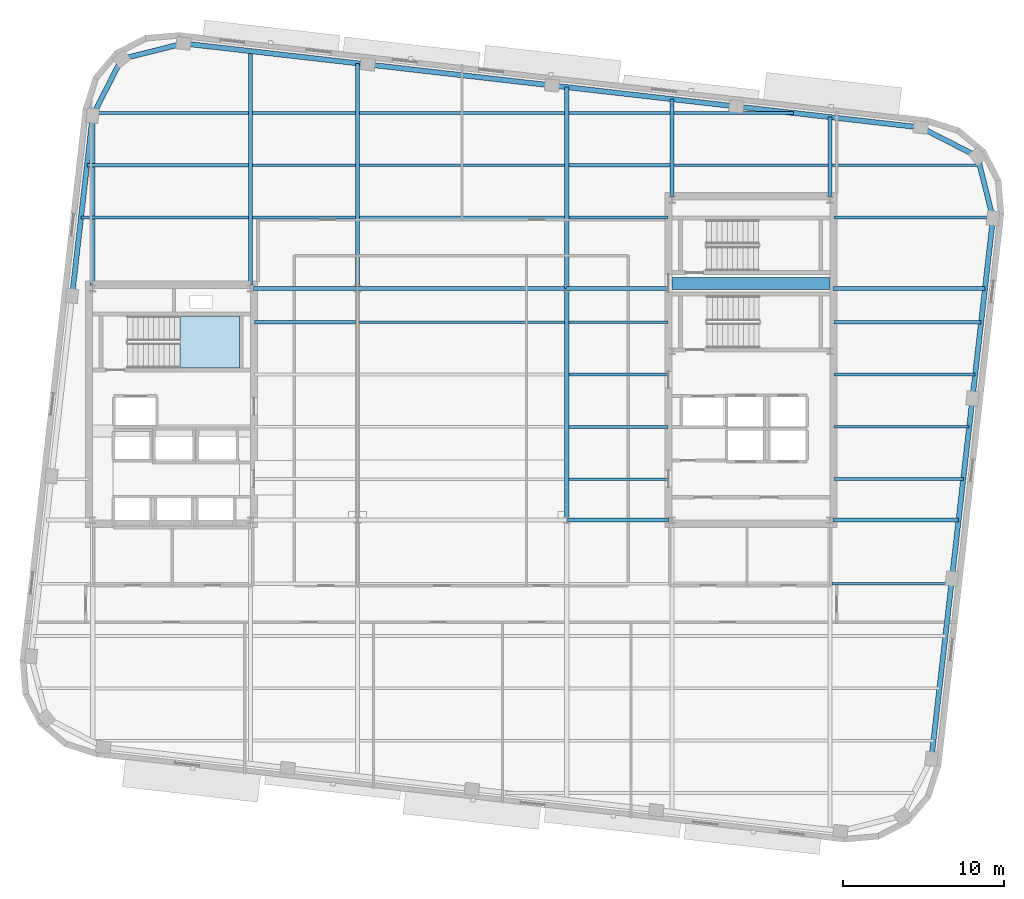
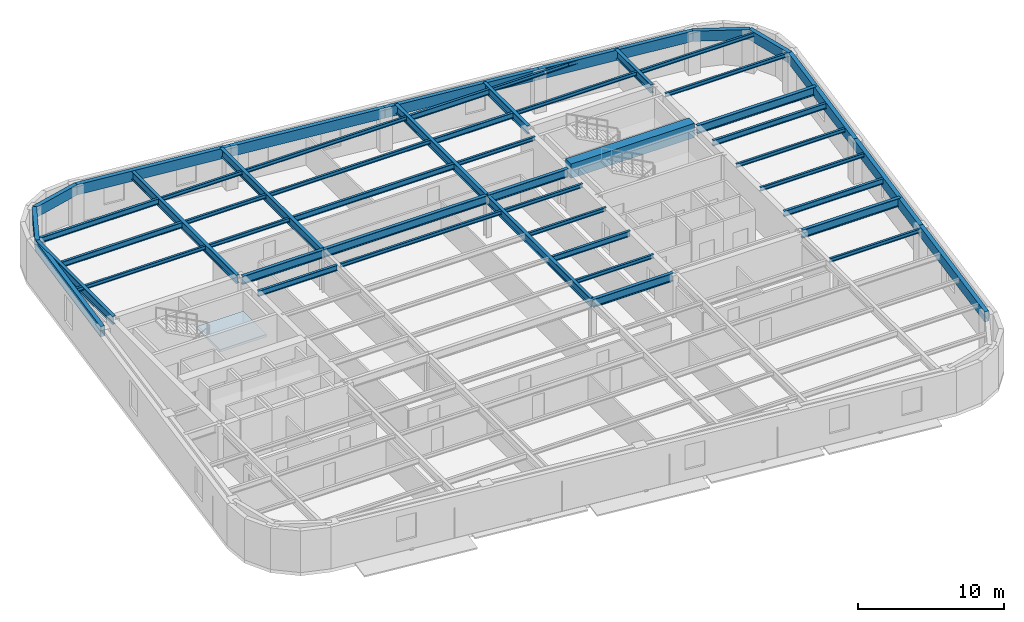
# One storey, part 4 of 12: 53 beams, 1 slab, 1 element without a shape of its own.
"""IFC4 building model written with IfcOpenShell, lengths in metres."""

from ifc_helpers import new_model, si_unit, direction, frame, origin, origin_2d, place, context, subcontext, project, spatial, polyline, rectangle, hollow_rectangle, i_section, outline, extrude, material, layer, layer_set, material_profile, profile_set, type_object, element, aggregate, save


model = new_model("IFC4")

# Units and contexts
model_context = context("Model", 3, precision=1e-05, world=origin(), true_north=direction((0.0, 1.0)))
body_context = subcontext(model_context, "Body", "Model", "MODEL_VIEW")
ifc_project = project(units=[si_unit("LENGTHUNIT", "METRE"), si_unit("AREAUNIT", "SQUARE_METRE"), si_unit("VOLUMEUNIT", "CUBIC_METRE"), si_unit("PLANEANGLEUNIT", "RADIAN"), si_unit("MASSUNIT", "GRAM", prefix="KILO")], contexts=[model_context])

# Site, building, storey
site_placement = place(None, origin())
site = spatial("IfcSite", under=ifc_project, at=site_placement, CompositionType="ELEMENT")
building_placement = place(site_placement, origin())
building = spatial("IfcBuilding", under=site, at=building_placement, Name="Kolvaren Arena Tower", CompositionType="ELEMENT")
storey_placement = place(building_placement, frame((0.0, 0.0, 220.949951171875)))
storey = spatial("IfcBuildingStorey", under=building, at=storey_placement, Name="L53", CompositionType="ELEMENT", Elevation=220.949951171875)

# Beams
ifc_material_1 = material(Name="Steel CSA G40.21 350W", Category="steel")
ifc_material_profile_1 = material_profile(ifc_material_1, i_section(OverallWidth=0.193115234375, OverallDepth=0.462890625, WebThickness=0.0107421875, FlangeThickness=0.0205078125, FilletRadius=0.012939453125, at=origin_2d()), Name="W460x113")
ifc_profile_set_1 = profile_set([ifc_material_profile_1], Name="Steel CSA G40.21 350W")
beam_type_1 = type_object("IfcBeamType", Name="BEAM-F2", PredefinedType="BEAM", material=ifc_profile_set_1)
beam_1_placement = place(storey_placement, frame((60.594970703125, 22.0, 3.24853515625), z_axis=(1.0, 0.0, 0.0), x_axis=(0.0, 1.0, 0.0)))
element("IfcBeam", 1, at=beam_1_placement, inside=storey, type_object=beam_type_1, Name="Composite Floor Beam (L53)", PredefinedType="BEAM", context=body_context, shape_type="SweptSolid", body=[
    extrude(i_section(OverallWidth=0.193115234375, OverallDepth=0.462890625, WebThickness=0.0107421875, FlangeThickness=0.0205078125, FilletRadius=0.012939453125, at=origin_2d()), origin(), (0.0, 0.0, 1.0), 8.041015625),
])
beam_2_placement = place(storey_placement, frame((44.12744140625, 25.25, 3.24853515625), z_axis=(1.0, 0.0, 0.0), x_axis=(0.0, 1.0, 0.0)))
element("IfcBeam", 2, at=beam_2_placement, inside=storey, type_object=beam_type_1, Name="Composite Floor Beam (L53)", PredefinedType="BEAM", context=body_context, shape_type="SweptSolid", body=[
    extrude(i_section(OverallWidth=0.193115234375, OverallDepth=0.462890625, WebThickness=0.0107421875, FlangeThickness=0.0205078125, FilletRadius=0.012939453125, at=origin_2d()), origin(), (0.0, 0.0, 1.0), 6.177490234375),
])
beam_3_placement = place(storey_placement, frame((24.594970703125, 31.75, 3.24853515625), z_axis=(1.0, 0.0, 0.0), x_axis=(0.0, 1.0, 0.0)))
element("IfcBeam", 3, at=beam_3_placement, inside=storey, type_object=beam_type_1, Name="Composite Floor Beam (L53)", PredefinedType="BEAM", context=body_context, shape_type="SweptSolid", body=[
    extrude(i_section(OverallWidth=0.193115234375, OverallDepth=0.462890625, WebThickness=0.0107421875, FlangeThickness=0.0205078125, FilletRadius=0.012939453125, at=origin_2d()), origin(), (0.0, 0.0, 1.0), 6.277587890625),
])
beam_4_placement = place(storey_placement, frame((60.594970703125, 31.75, 3.24853515625), z_axis=(1.0, 0.0, 0.0), x_axis=(0.0, 1.0, 0.0)))
element("IfcBeam", 4, at=beam_4_placement, inside=storey, type_object=beam_type_1, Name="Composite Floor Beam (L53)", PredefinedType="BEAM", context=body_context, shape_type="SweptSolid", body=[
    extrude(i_section(OverallWidth=0.193115234375, OverallDepth=0.462890625, WebThickness=0.0107421875, FlangeThickness=0.0205078125, FilletRadius=0.012939453125, at=origin_2d()), origin(), (0.0, 0.0, 1.0), 9.15185546875),
])
beam_5_placement = place(storey_placement, frame((31.12744140625, 38.25, 3.24853515625), z_axis=(1.0, 0.0, 0.0), x_axis=(0.0, 1.0, 0.0)))
element("IfcBeam", 5, at=beam_5_placement, inside=storey, type_object=beam_type_1, Name="Composite Floor Beam (L53)", PredefinedType="BEAM", context=body_context, shape_type="SweptSolid", body=[
    extrude(i_section(OverallWidth=0.193115234375, OverallDepth=0.462890625, WebThickness=0.0107421875, FlangeThickness=0.0205078125, FilletRadius=0.012939453125, at=origin_2d()), origin(), (0.0, 0.0, 1.0), 12.7451171875),
])
beam_6_placement = place(storey_placement, frame((14.193359375, 41.5, 3.24853515625), z_axis=(1.0, 0.0, 0.0), x_axis=(0.0, 1.0, 0.0)))
element("IfcBeam", 6, at=beam_6_placement, inside=storey, type_object=beam_type_1, Name="Composite Floor Beam (L53)", PredefinedType="BEAM", context=body_context, shape_type="SweptSolid", body=[
    extrude(i_section(OverallWidth=0.193115234375, OverallDepth=0.462890625, WebThickness=0.0107421875, FlangeThickness=0.0205078125, FilletRadius=0.012939453125, at=origin_2d()), origin(), (0.0, 0.0, 1.0), 10.029052734375),
])
beam_7_placement = place(storey_placement, frame((44.12744140625, 41.5, 3.24853515625), z_axis=(1.0, 0.0, 0.0), x_axis=(0.0, 1.0, 0.0)))
element("IfcBeam", 7, at=beam_7_placement, inside=storey, type_object=beam_type_1, Name="Composite Floor Beam (L53)", PredefinedType="BEAM", context=body_context, shape_type="SweptSolid", body=[
    extrude(i_section(OverallWidth=0.193115234375, OverallDepth=0.462890625, WebThickness=0.0107421875, FlangeThickness=0.0205078125, FilletRadius=0.012939453125, at=origin_2d()), origin(), (0.0, 0.0, 1.0), 6.295166015625),
])
beam_8_placement = place(storey_placement, frame((14.632080078125, 44.75, 3.24853515625), z_axis=(1.0, 0.0, 0.0), x_axis=(0.0, 1.0, 0.0)))
element("IfcBeam", 8, at=beam_8_placement, inside=storey, type_object=beam_type_1, Name="Composite Floor Beam (L53)", PredefinedType="BEAM", context=body_context, shape_type="SweptSolid", body=[
    extrude(i_section(OverallWidth=0.193115234375, OverallDepth=0.462890625, WebThickness=0.0107421875, FlangeThickness=0.0205078125, FilletRadius=0.012939453125, at=origin_2d()), origin(), (0.0, 0.0, 1.0), 9.59033203125),
])
beam_9_placement = place(storey_placement, frame((44.12744140625, 44.75, 3.24853515625), z_axis=(1.0, 0.0, 0.0), x_axis=(0.0, 1.0, 0.0)))
element("IfcBeam", 9, at=beam_9_placement, inside=storey, type_object=beam_type_1, Name="Composite Floor Beam (L53)", PredefinedType="BEAM", context=body_context, shape_type="SweptSolid", body=[
    extrude(i_section(OverallWidth=0.193115234375, OverallDepth=0.462890625, WebThickness=0.0107421875, FlangeThickness=0.0205078125, FilletRadius=0.012939453125, at=origin_2d()), origin(), (0.0, 0.0, 1.0), 6.295166015625),
])
ifc_material_2 = material(Name="Concrete 60 MPa", Category="concrete")
ifc_material_profile_2 = material_profile(ifc_material_2, rectangle(XDim=0.75, YDim=1.199951171875, at=origin_2d()), Name="RC-750x1200")
ifc_profile_set_2 = profile_set([ifc_material_profile_2], Name="Concrete 60 MPa")
beam_type_2 = type_object("IfcBeamType", Name="CB-CORE-2", PredefinedType="BEAM", material=ifc_profile_set_2)
beam_10_placement = place(storey_placement, frame((50.550048828125, 34.14990234375, 3.150146484375), z_axis=(1.0, 0.0, 0.0), x_axis=(0.0, 1.0, 0.0)))
element("IfcBeam", 10, at=beam_10_placement, inside=storey, type_object=beam_type_2, Name="East Core Coupling Beam (L53)", PredefinedType="BEAM", context=body_context, shape_type="SweptSolid", body=[
    extrude(rectangle(XDim=0.75, YDim=1.199951171875, at=origin_2d()), origin(), (0.0, 0.0, 1.0), 9.800048828125),
])
ifc_material_profile_3 = material_profile(ifc_material_1, i_section(OverallWidth=0.2548828125, OverallDepth=0.695068359375, WebThickness=0.01708984375, FlangeThickness=0.02978515625, FilletRadius=0.01611328125, at=origin_2d()), Name="W690x217")
ifc_profile_set_3 = profile_set([ifc_material_profile_3], Name="Steel CSA G40.21 350W")
beam_type_3 = type_object("IfcBeamType", Name="GIRD-T2", PredefinedType="BEAM", material=ifc_profile_set_3)
beam_11_placement = place(storey_placement, frame((44.0, 19.449951171875, 3.132568359375), z_axis=(1.0, 0.0, 0.0), x_axis=(0.0, 1.0, 0.0)))
element("IfcBeam", 11, at=beam_11_placement, inside=storey, type_object=beam_type_3, Name="Primary Floor Girder (L53)", PredefinedType="BEAM", context=body_context, shape_type="SweptSolid", body=[
    extrude(i_section(OverallWidth=0.2548828125, OverallDepth=0.695068359375, WebThickness=0.01708984375, FlangeThickness=0.02978515625, FilletRadius=0.01611328125, at=origin_2d()), origin(), (0.0, 0.0, 1.0), 6.344970703125),
])
beam_12_placement = place(storey_placement, frame((60.554931640625, 19.449951171875, 3.132568359375), z_axis=(1.0, 0.0, 0.0), x_axis=(0.0, 1.0, 0.0)))
element("IfcBeam", 12, at=beam_12_placement, inside=storey, type_object=beam_type_3, Name="Primary Floor Girder (L53)", PredefinedType="BEAM", context=body_context, shape_type="SweptSolid", body=[
    extrude(i_section(OverallWidth=0.2548828125, OverallDepth=0.695068359375, WebThickness=0.01708984375, FlangeThickness=0.02978515625, FilletRadius=0.01611328125, at=origin_2d()), origin(), (0.0, 0.0, 1.0), 7.790283203125),
])
beam_13_placement = place(storey_placement, frame((24.554931640625, 33.85009765625, 3.132568359375), z_axis=(1.0, 0.0, 0.0), x_axis=(0.0, 1.0, 0.0)))
element("IfcBeam", 13, at=beam_13_placement, inside=storey, type_object=beam_type_3, Name="Primary Floor Girder (L53)", PredefinedType="BEAM", context=body_context, shape_type="SweptSolid", body=[
    extrude(i_section(OverallWidth=0.2548828125, OverallDepth=0.695068359375, WebThickness=0.01708984375, FlangeThickness=0.02978515625, FilletRadius=0.01611328125, at=origin_2d()), origin(), (0.0, 0.0, 1.0), 6.445068359375),
])
beam_14_placement = place(storey_placement, frame((31.0, 33.85009765625, 3.132568359375), z_axis=(1.0, 0.0, 0.0), x_axis=(0.0, 1.0, 0.0)))
element("IfcBeam", 14, at=beam_14_placement, inside=storey, type_object=beam_type_3, Name="Primary Floor Girder (L53)", PredefinedType="BEAM", context=body_context, shape_type="SweptSolid", body=[
    extrude(i_section(OverallWidth=0.2548828125, OverallDepth=0.695068359375, WebThickness=0.01708984375, FlangeThickness=0.02978515625, FilletRadius=0.01611328125, at=origin_2d()), origin(), (0.0, 0.0, 1.0), 13.0),
])
beam_15_placement = place(storey_placement, frame((44.0, 33.85009765625, 3.132568359375), z_axis=(1.0, 0.0, 0.0), x_axis=(0.0, 1.0, 0.0)))
element("IfcBeam", 15, at=beam_15_placement, inside=storey, type_object=beam_type_3, Name="Primary Floor Girder (L53)", PredefinedType="BEAM", context=body_context, shape_type="SweptSolid", body=[
    extrude(i_section(OverallWidth=0.2548828125, OverallDepth=0.695068359375, WebThickness=0.01708984375, FlangeThickness=0.02978515625, FilletRadius=0.01611328125, at=origin_2d()), origin(), (0.0, 0.0, 1.0), 6.344970703125),
])
beam_16_placement = place(storey_placement, frame((60.554931640625, 33.85009765625, 3.132568359375), z_axis=(1.0, 0.0, 0.0), x_axis=(0.0, 1.0, 0.0)))
element("IfcBeam", 16, at=beam_16_placement, inside=storey, type_object=beam_type_3, Name="Primary Floor Girder (L53)", PredefinedType="BEAM", context=body_context, shape_type="SweptSolid", body=[
    extrude(i_section(OverallWidth=0.2548828125, OverallDepth=0.695068359375, WebThickness=0.01708984375, FlangeThickness=0.02978515625, FilletRadius=0.01611328125, at=origin_2d()), origin(), (0.0, 0.0, 1.0), 9.43115234375),
])
beam_17_placement = place(storey_placement, frame((14.550048828125, 34.054931640625, 3.132568359375), z_axis=(0.0, 1.0, 0.0), x_axis=(-1.0, 0.0, 0.0)))
element("IfcBeam", 17, at=beam_17_placement, inside=storey, type_object=beam_type_3, Name="Primary Floor Girder (L53)", PredefinedType="BEAM", context=body_context, shape_type="SweptSolid", body=[
    extrude(i_section(OverallWidth=0.2548828125, OverallDepth=0.695068359375, WebThickness=0.01708984375, FlangeThickness=0.02978515625, FilletRadius=0.01611328125, at=origin_2d()), origin(), (0.0, 0.0, 1.0), 10.53466796875),
])
beam_18_placement = place(storey_placement, frame((24.35009765625, 34.054931640625, 3.132568359375), z_axis=(0.0, 1.0, 0.0), x_axis=(-1.0, 0.0, 0.0)))
element("IfcBeam", 18, at=beam_18_placement, inside=storey, type_object=beam_type_3, Name="Primary Floor Girder (L53)", PredefinedType="BEAM", context=body_context, shape_type="SweptSolid", body=[
    extrude(i_section(OverallWidth=0.2548828125, OverallDepth=0.695068359375, WebThickness=0.01708984375, FlangeThickness=0.02978515625, FilletRadius=0.01611328125, at=origin_2d()), origin(), (0.0, 0.0, 1.0), 14.538818359375),
])
beam_19_placement = place(storey_placement, frame((31.0, 33.85009765625, 3.132568359375), z_axis=(0.0, 1.0, 0.0), x_axis=(-1.0, 0.0, 0.0)))
element("IfcBeam", 19, at=beam_19_placement, inside=storey, type_object=beam_type_3, Name="Primary Floor Girder (L53)", PredefinedType="BEAM", context=body_context, shape_type="SweptSolid", body=[
    extrude(i_section(OverallWidth=0.2548828125, OverallDepth=0.695068359375, WebThickness=0.01708984375, FlangeThickness=0.02978515625, FilletRadius=0.01611328125, at=origin_2d()), origin(), (0.0, 0.0, 1.0), 13.986083984375),
])
beam_20_placement = place(storey_placement, frame((44.0, 19.449951171875, 3.132568359375), z_axis=(0.0, 1.0, 0.0), x_axis=(-1.0, 0.0, 0.0)))
element("IfcBeam", 20, at=beam_20_placement, inside=storey, type_object=beam_type_3, Name="Primary Floor Girder (L53)", PredefinedType="BEAM", context=body_context, shape_type="SweptSolid", body=[
    extrude(i_section(OverallWidth=0.2548828125, OverallDepth=0.695068359375, WebThickness=0.01708984375, FlangeThickness=0.02978515625, FilletRadius=0.01611328125, at=origin_2d()), origin(), (0.0, 0.0, 1.0), 14.400146484375),
])
beam_21_placement = place(storey_placement, frame((44.0, 33.85009765625, 3.132568359375), z_axis=(0.0, 1.0, 0.0), x_axis=(-1.0, 0.0, 0.0)))
element("IfcBeam", 21, at=beam_21_placement, inside=storey, type_object=beam_type_3, Name="Primary Floor Girder (L53)", PredefinedType="BEAM", context=body_context, shape_type="SweptSolid", body=[
    extrude(i_section(OverallWidth=0.2548828125, OverallDepth=0.695068359375, WebThickness=0.01708984375, FlangeThickness=0.02978515625, FilletRadius=0.01611328125, at=origin_2d()), origin(), (0.0, 0.0, 1.0), 12.5048828125),
])
beam_22_placement = place(storey_placement, frame((50.550048828125, 39.554931640625, 3.132568359375), z_axis=(0.0, 1.0, 0.0), x_axis=(-1.0, 0.0, 0.0)))
element("IfcBeam", 22, at=beam_22_placement, inside=storey, type_object=beam_type_3, Name="Primary Floor Girder (L53)", PredefinedType="BEAM", context=body_context, shape_type="SweptSolid", body=[
    extrude(i_section(OverallWidth=0.2548828125, OverallDepth=0.695068359375, WebThickness=0.01708984375, FlangeThickness=0.02978515625, FilletRadius=0.01611328125, at=origin_2d()), origin(), (0.0, 0.0, 1.0), 6.0537109375),
])
beam_23_placement = place(storey_placement, frame((60.35009765625, 39.554931640625, 3.132568359375), z_axis=(0.0, 1.0, 0.0), x_axis=(-1.0, 0.0, 0.0)))
element("IfcBeam", 23, at=beam_23_placement, inside=storey, type_object=beam_type_3, Name="Primary Floor Girder (L53)", PredefinedType="BEAM", context=body_context, shape_type="SweptSolid", body=[
    extrude(i_section(OverallWidth=0.2548828125, OverallDepth=0.695068359375, WebThickness=0.01708984375, FlangeThickness=0.02978515625, FilletRadius=0.01611328125, at=origin_2d()), origin(), (0.0, 0.0, 1.0), 4.937255859375),
])
ifc_material_profile_4 = material_profile(ifc_material_1, i_section(OverallWidth=0.1669921875, OverallDepth=0.31689453125, WebThickness=0.007568359375, FlangeThickness=0.01318359375, FilletRadius=0.010009765625, at=origin_2d()), Name="W310x52")
ifc_profile_set_4 = profile_set([ifc_material_profile_4], Name="Steel CSA G40.21 350W")
beam_type_4 = type_object("IfcBeamType", Name="JOIST-02", PredefinedType="JOIST", material=ifc_profile_set_4)
beam_24_placement = place(storey_placement, frame((60.4775390625, 15.5, 3.321533203125), z_axis=(1.0, 0.0, 0.0), x_axis=(0.0, 1.0, 0.0)))
element("IfcBeam", 24, at=beam_24_placement, inside=storey, type_object=beam_type_4, Name="Composite Floor Joist (L53)", PredefinedType="JOIST", context=body_context, shape_type="SweptSolid", body=[
    extrude(i_section(OverallWidth=0.1669921875, OverallDepth=0.31689453125, WebThickness=0.007568359375, FlangeThickness=0.01318359375, FilletRadius=0.010009765625, at=origin_2d()), origin(), (0.0, 0.0, 1.0), 7.417724609375),
])
beam_25_placement = place(storey_placement, frame((44.12744140625, 22.0, 3.321533203125), z_axis=(1.0, 0.0, 0.0), x_axis=(0.0, 1.0, 0.0)))
element("IfcBeam", 25, at=beam_25_placement, inside=storey, type_object=beam_type_4, Name="Composite Floor Joist (L53)", PredefinedType="JOIST", context=body_context, shape_type="SweptSolid", body=[
    extrude(i_section(OverallWidth=0.1669921875, OverallDepth=0.31689453125, WebThickness=0.007568359375, FlangeThickness=0.01318359375, FilletRadius=0.010009765625, at=origin_2d()), origin(), (0.0, 0.0, 1.0), 6.177490234375),
])
beam_26_placement = place(storey_placement, frame((60.594970703125, 25.25, 3.321533203125), z_axis=(1.0, 0.0, 0.0), x_axis=(0.0, 1.0, 0.0)))
element("IfcBeam", 26, at=beam_26_placement, inside=storey, type_object=beam_type_4, Name="Composite Floor Joist (L53)", PredefinedType="JOIST", context=body_context, shape_type="SweptSolid", body=[
    extrude(i_section(OverallWidth=0.1669921875, OverallDepth=0.31689453125, WebThickness=0.007568359375, FlangeThickness=0.01318359375, FilletRadius=0.010009765625, at=origin_2d()), origin(), (0.0, 0.0, 1.0), 8.4111328125),
])
beam_27_placement = place(storey_placement, frame((44.12744140625, 28.5, 3.321533203125), z_axis=(1.0, 0.0, 0.0), x_axis=(0.0, 1.0, 0.0)))
element("IfcBeam", 27, at=beam_27_placement, inside=storey, type_object=beam_type_4, Name="Composite Floor Joist (L53)", PredefinedType="JOIST", context=body_context, shape_type="SweptSolid", body=[
    extrude(i_section(OverallWidth=0.1669921875, OverallDepth=0.31689453125, WebThickness=0.007568359375, FlangeThickness=0.01318359375, FilletRadius=0.010009765625, at=origin_2d()), origin(), (0.0, 0.0, 1.0), 6.177490234375),
])
beam_28_placement = place(storey_placement, frame((60.594970703125, 28.5, 3.321533203125), z_axis=(1.0, 0.0, 0.0), x_axis=(0.0, 1.0, 0.0)))
element("IfcBeam", 28, at=beam_28_placement, inside=storey, type_object=beam_type_4, Name="Composite Floor Joist (L53)", PredefinedType="JOIST", context=body_context, shape_type="SweptSolid", body=[
    extrude(i_section(OverallWidth=0.1669921875, OverallDepth=0.31689453125, WebThickness=0.007568359375, FlangeThickness=0.01318359375, FilletRadius=0.010009765625, at=origin_2d()), origin(), (0.0, 0.0, 1.0), 8.781494140625),
])
beam_29_placement = place(storey_placement, frame((31.12744140625, 31.75, 3.321533203125), z_axis=(1.0, 0.0, 0.0), x_axis=(0.0, 1.0, 0.0)))
element("IfcBeam", 29, at=beam_29_placement, inside=storey, type_object=beam_type_4, Name="Composite Floor Joist (L53)", PredefinedType="JOIST", context=body_context, shape_type="SweptSolid", body=[
    extrude(i_section(OverallWidth=0.1669921875, OverallDepth=0.31689453125, WebThickness=0.007568359375, FlangeThickness=0.01318359375, FilletRadius=0.010009765625, at=origin_2d()), origin(), (0.0, 0.0, 1.0), 12.7451171875),
])
beam_30_placement = place(storey_placement, frame((44.12744140625, 31.75, 3.321533203125), z_axis=(1.0, 0.0, 0.0), x_axis=(0.0, 1.0, 0.0)))
element("IfcBeam", 30, at=beam_30_placement, inside=storey, type_object=beam_type_4, Name="Composite Floor Joist (L53)", PredefinedType="JOIST", context=body_context, shape_type="SweptSolid", body=[
    extrude(i_section(OverallWidth=0.1669921875, OverallDepth=0.31689453125, WebThickness=0.007568359375, FlangeThickness=0.01318359375, FilletRadius=0.010009765625, at=origin_2d()), origin(), (0.0, 0.0, 1.0), 6.177490234375),
])
beam_31_placement = place(storey_placement, frame((13.822998046875, 38.25, 3.321533203125), z_axis=(1.0, 0.0, 0.0), x_axis=(0.0, 1.0, 0.0)))
element("IfcBeam", 31, at=beam_31_placement, inside=storey, type_object=beam_type_4, Name="Composite Floor Joist (L53)", PredefinedType="JOIST", context=body_context, shape_type="SweptSolid", body=[
    extrude(i_section(OverallWidth=0.1669921875, OverallDepth=0.31689453125, WebThickness=0.007568359375, FlangeThickness=0.01318359375, FilletRadius=0.010009765625, at=origin_2d()), origin(), (0.0, 0.0, 1.0), 10.3994140625),
])
beam_32_placement = place(storey_placement, frame((24.4775390625, 38.25, 3.321533203125), z_axis=(1.0, 0.0, 0.0), x_axis=(0.0, 1.0, 0.0)))
element("IfcBeam", 32, at=beam_32_placement, inside=storey, type_object=beam_type_4, Name="Composite Floor Joist (L53)", PredefinedType="JOIST", context=body_context, shape_type="SweptSolid", body=[
    extrude(i_section(OverallWidth=0.1669921875, OverallDepth=0.31689453125, WebThickness=0.007568359375, FlangeThickness=0.01318359375, FilletRadius=0.010009765625, at=origin_2d()), origin(), (0.0, 0.0, 1.0), 6.39501953125),
])
beam_33_placement = place(storey_placement, frame((44.12744140625, 38.25, 3.321533203125), z_axis=(1.0, 0.0, 0.0), x_axis=(0.0, 1.0, 0.0)))
element("IfcBeam", 33, at=beam_33_placement, inside=storey, type_object=beam_type_4, Name="Composite Floor Joist (L53)", PredefinedType="JOIST", context=body_context, shape_type="SweptSolid", body=[
    extrude(i_section(OverallWidth=0.1669921875, OverallDepth=0.31689453125, WebThickness=0.007568359375, FlangeThickness=0.01318359375, FilletRadius=0.010009765625, at=origin_2d()), origin(), (0.0, 0.0, 1.0), 6.177490234375),
])
beam_34_placement = place(storey_placement, frame((60.594970703125, 38.25, 3.321533203125), z_axis=(1.0, 0.0, 0.0), x_axis=(0.0, 1.0, 0.0)))
element("IfcBeam", 34, at=beam_34_placement, inside=storey, type_object=beam_type_4, Name="Composite Floor Joist (L53)", PredefinedType="JOIST", context=body_context, shape_type="SweptSolid", body=[
    extrude(i_section(OverallWidth=0.1669921875, OverallDepth=0.31689453125, WebThickness=0.007568359375, FlangeThickness=0.01318359375, FilletRadius=0.010009765625, at=origin_2d()), origin(), (0.0, 0.0, 1.0), 9.8759765625),
])
beam_35_placement = place(storey_placement, frame((24.4775390625, 41.5, 3.321533203125), z_axis=(1.0, 0.0, 0.0), x_axis=(0.0, 1.0, 0.0)))
element("IfcBeam", 35, at=beam_35_placement, inside=storey, type_object=beam_type_4, Name="Composite Floor Joist (L53)", PredefinedType="JOIST", context=body_context, shape_type="SweptSolid", body=[
    extrude(i_section(OverallWidth=0.1669921875, OverallDepth=0.31689453125, WebThickness=0.007568359375, FlangeThickness=0.01318359375, FilletRadius=0.010009765625, at=origin_2d()), origin(), (0.0, 0.0, 1.0), 6.39501953125),
])
beam_36_placement = place(storey_placement, frame((31.12744140625, 41.5, 3.321533203125), z_axis=(1.0, 0.0, 0.0), x_axis=(0.0, 1.0, 0.0)))
element("IfcBeam", 36, at=beam_36_placement, inside=storey, type_object=beam_type_4, Name="Composite Floor Joist (L53)", PredefinedType="JOIST", context=body_context, shape_type="SweptSolid", body=[
    extrude(i_section(OverallWidth=0.1669921875, OverallDepth=0.31689453125, WebThickness=0.007568359375, FlangeThickness=0.01318359375, FilletRadius=0.010009765625, at=origin_2d()), origin(), (0.0, 0.0, 1.0), 12.7451171875),
])
beam_37_placement = place(storey_placement, frame((50.677490234375, 41.5, 3.321533203125), z_axis=(1.0, 0.0, 0.0), x_axis=(0.0, 1.0, 0.0)))
element("IfcBeam", 37, at=beam_37_placement, inside=storey, type_object=beam_type_4, Name="Composite Floor Joist (L53)", PredefinedType="JOIST", context=body_context, shape_type="SweptSolid", body=[
    extrude(i_section(OverallWidth=0.1669921875, OverallDepth=0.31689453125, WebThickness=0.007568359375, FlangeThickness=0.01318359375, FilletRadius=0.010009765625, at=origin_2d()), origin(), (0.0, 0.0, 1.0), 9.544921875),
])
beam_38_placement = place(storey_placement, frame((60.4775390625, 41.5, 3.321533203125), z_axis=(1.0, 0.0, 0.0), x_axis=(0.0, 1.0, 0.0)))
element("IfcBeam", 38, at=beam_38_placement, inside=storey, type_object=beam_type_4, Name="Composite Floor Joist (L53)", PredefinedType="JOIST", context=body_context, shape_type="SweptSolid", body=[
    extrude(i_section(OverallWidth=0.1669921875, OverallDepth=0.31689453125, WebThickness=0.007568359375, FlangeThickness=0.01318359375, FilletRadius=0.010009765625, at=origin_2d()), origin(), (0.0, 0.0, 1.0), 9.17919921875),
])
beam_39_placement = place(storey_placement, frame((24.4775390625, 44.75, 3.321533203125), z_axis=(1.0, 0.0, 0.0), x_axis=(0.0, 1.0, 0.0)))
element("IfcBeam", 39, at=beam_39_placement, inside=storey, type_object=beam_type_4, Name="Composite Floor Joist (L53)", PredefinedType="JOIST", context=body_context, shape_type="SweptSolid", body=[
    extrude(i_section(OverallWidth=0.1669921875, OverallDepth=0.31689453125, WebThickness=0.007568359375, FlangeThickness=0.01318359375, FilletRadius=0.010009765625, at=origin_2d()), origin(), (0.0, 0.0, 1.0), 6.39501953125),
])
beam_40_placement = place(storey_placement, frame((31.12744140625, 44.75, 3.321533203125), z_axis=(1.0, 0.0, 0.0), x_axis=(0.0, 1.0, 0.0)))
element("IfcBeam", 40, at=beam_40_placement, inside=storey, type_object=beam_type_4, Name="Composite Floor Joist (L53)", PredefinedType="JOIST", context=body_context, shape_type="SweptSolid", body=[
    extrude(i_section(OverallWidth=0.1669921875, OverallDepth=0.31689453125, WebThickness=0.007568359375, FlangeThickness=0.01318359375, FilletRadius=0.010009765625, at=origin_2d()), origin(), (0.0, 0.0, 1.0), 12.7451171875),
])
beam_41_placement = place(storey_placement, frame((50.677490234375, 44.75, 3.321533203125), z_axis=(1.0, 0.0, 0.0), x_axis=(0.0, 1.0, 0.0)))
element("IfcBeam", 41, at=beam_41_placement, inside=storey, type_object=beam_type_4, Name="Composite Floor Joist (L53)", PredefinedType="JOIST", context=body_context, shape_type="SweptSolid", body=[
    extrude(i_section(OverallWidth=0.1669921875, OverallDepth=0.31689453125, WebThickness=0.007568359375, FlangeThickness=0.01318359375, FilletRadius=0.010009765625, at=origin_2d()), origin(), (0.0, 0.0, 1.0), 7.40869140625),
])
ifc_material_3 = material(Name="Steel CSA G40.21 350WT", Category="steel")
ifc_material_profile_5 = material_profile(ifc_material_3, hollow_rectangle(XDim=0.320068359375, YDim=0.860107421875, WallThickness=0.01806640625, at=origin_2d()), Name="HSS 860x320x18")
ifc_profile_set_5 = profile_set([ifc_material_profile_5], Name="Steel CSA G40.21 350WT")
beam_type_5 = type_object("IfcBeamType", Name="SPAND-02", PredefinedType="SPANDREL", material=ifc_profile_set_5)
beam_42_placement = place(storey_placement, frame((66.656005859375, 4.6220703125, 3.050048828125), z_axis=(0.113201896536, 0.993572005755, 0.0), x_axis=(-0.993572005755, 0.113201896536, 0.0)))
element("IfcBeam", 42, at=beam_42_placement, inside=storey, type_object=beam_type_5, Name="Perimeter Spandrel Beam (L53)", PredefinedType="SPANDREL", context=body_context, shape_type="SweptSolid", body=[
    extrude(hollow_rectangle(XDim=0.320068359375, YDim=0.860107421875, WallThickness=0.01806640625, at=origin_2d()), origin(), (0.0, 0.0, 1.0), 11.2666015625),
])
beam_43_placement = place(storey_placement, frame((67.931396484375, 15.816162109375, 3.050048828125), z_axis=(0.113199459318, 0.993572283435, 0.0), x_axis=(-0.993572283435, 0.113199459318, 0.0)))
element("IfcBeam", 43, at=beam_43_placement, inside=storey, type_object=beam_type_5, Name="Perimeter Spandrel Beam (L53)", PredefinedType="SPANDREL", context=body_context, shape_type="SweptSolid", body=[
    extrude(hollow_rectangle(XDim=0.320068359375, YDim=0.860107421875, WallThickness=0.01806640625, at=origin_2d()), origin(), (0.0, 0.0, 1.0), 11.266845703125),
])
beam_44_placement = place(storey_placement, frame((69.206787109375, 27.010498046875, 3.050048828125), z_axis=(0.113201896536, 0.993572005755, 0.0), x_axis=(-0.993572005755, 0.113201896536, 0.0)))
element("IfcBeam", 44, at=beam_44_placement, inside=storey, type_object=beam_type_5, Name="Perimeter Spandrel Beam (L53)", PredefinedType="SPANDREL", context=body_context, shape_type="SweptSolid", body=[
    extrude(hollow_rectangle(XDim=0.320068359375, YDim=0.860107421875, WallThickness=0.01806640625, at=origin_2d()), origin(), (0.0, 0.0, 1.0), 11.2666015625),
])
for number, where, z_axis, x_axis, name in (
    (45, (70.482177734375, 38.20458984375, 3.050048828125), (-0.242956154878, 0.970037270834, 0.0), (-0.970037270834, -0.242956154878, 0.0), "Perimeter Spandrel Beam (L53)"),
    (46, (69.519775390625, 42.047119140625, 3.050048828125), (-0.890535676656, 0.454913407807, 0.0), (-0.454913407807, -0.890535676656, 0.0), "Perimeter Spandrel Beam (L53)"),
):
    element("IfcBeam", number, at=place(storey_placement, frame(where, z_axis=z_axis, x_axis=x_axis)), inside=storey, type_object=beam_type_5, Name=name, PredefinedType="SPANDREL", context=body_context, shape_type="SweptSolid", body=[
        extrude(hollow_rectangle(XDim=0.320068359375, YDim=0.860107421875, WallThickness=0.01806640625, at=origin_2d()), origin(), (0.0, 0.0, 1.0), 3.961181640625),
    ])
beam_45_placement = place(storey_placement, frame((65.9921875, 43.84912109375, 3.050048828125), z_axis=(-0.993571397957, 0.113207231049, 0.0), x_axis=(-0.113207231049, -0.993571397957, 0.0)))
element("IfcBeam", 47, at=beam_45_placement, inside=storey, type_object=beam_type_5, Name="Perimeter Spandrel Beam (L53)", PredefinedType="SPANDREL", context=body_context, shape_type="SweptSolid", body=[
    extrude(hollow_rectangle(XDim=0.320068359375, YDim=0.860107421875, WallThickness=0.01806640625, at=origin_2d()), origin(), (0.0, 0.0, 1.0), 11.524658203125),
])
for number, where, z_axis, x_axis, name in (
    (48, (54.54150390625, 45.15380859375, 3.050048828125), (-0.99357166944, 0.113204848336, 0.0), (-0.113204848336, -0.99357166944, 0.0), "Perimeter Spandrel Beam (L53)"),
    (49, (43.090576171875, 46.45849609375, 3.050048828125), (-0.99357166944, 0.113204848336, 0.0), (-0.113204848336, -0.99357166944, 0.0), "Perimeter Spandrel Beam (L53)"),
    (50, (31.6396484375, 47.76318359375, 3.050048828125), (-0.99357166944, 0.113204848336, 0.0), (-0.113204848336, -0.99357166944, 0.0), "Perimeter Spandrel Beam (L53)"),
):
    element("IfcBeam", number, at=place(storey_placement, frame(where, z_axis=z_axis, x_axis=x_axis)), inside=storey, type_object=beam_type_5, Name=name, PredefinedType="SPANDREL", context=body_context, shape_type="SweptSolid", body=[
        extrude(hollow_rectangle(XDim=0.320068359375, YDim=0.860107421875, WallThickness=0.01806640625, at=origin_2d()), origin(), (0.0, 0.0, 1.0), 11.52490234375),
    ])
for number, where, z_axis, x_axis, name in (
    (51, (20.188720703125, 49.06787109375, 3.050048828125), (-0.970037270834, -0.242956154878, 0.0), (0.242956154878, -0.970037270834, 0.0), "Perimeter Spandrel Beam (L53)"),
    (52, (16.34619140625, 48.10546875, 3.050048828125), (-0.454913407807, -0.890535676656, 0.0), (0.890535676656, -0.454913407807, 0.0), "Perimeter Spandrel Beam (L53)"),
):
    element("IfcBeam", number, at=place(storey_placement, frame(where, z_axis=z_axis, x_axis=x_axis)), inside=storey, type_object=beam_type_5, Name=name, PredefinedType="SPANDREL", context=body_context, shape_type="SweptSolid", body=[
        extrude(hollow_rectangle(XDim=0.320068359375, YDim=0.860107421875, WallThickness=0.01806640625, at=origin_2d()), origin(), (0.0, 0.0, 1.0), 3.961181640625),
    ])
beam_46_placement = place(storey_placement, frame((14.544189453125, 44.577880859375, 3.050048828125), z_axis=(-0.113201896536, -0.993572005755, 0.0), x_axis=(0.993572005755, -0.113201896536, 0.0)))
element("IfcBeam", 53, at=beam_46_placement, inside=storey, type_object=beam_type_5, Name="Perimeter Spandrel Beam (L53)", PredefinedType="SPANDREL", context=body_context, shape_type="SweptSolid", body=[
    extrude(hollow_rectangle(XDim=0.320068359375, YDim=0.860107421875, WallThickness=0.01806640625, at=origin_2d()), origin(), (0.0, 0.0, 1.0), 11.2666015625),
])

# Stair, slab
ifc_material_4 = material(Name="Concrete 45 MPa", Category="concrete")
stair_type = type_object("IfcStairType", Name="STAIR-CORE-165", PredefinedType="HALF_TURN_STAIR", material=ifc_material_4)
stair_placement = place(storey_placement, origin())
stair = element("IfcStair", 54, at=stair_placement, inside=storey, type_object=stair_type, Name="L53 ST-W1", PredefinedType="HALF_TURN_STAIR")
ifc_layer = layer(ifc_material_4, 0.199951171875)
ifc_layer_set = layer_set([ifc_layer], Name="Concrete 45 MPa")
slab_type = type_object("IfcSlabType", Name="SLAB-LAND", PredefinedType="LANDING", material=ifc_layer_set)
slab_placement = place(storey_placement, frame((0.0, 0.0, 1.675048828125)))
slab = element("IfcSlab", 55, at=slab_placement, type_object=slab_type, Name="ST-W1 landing 1", PredefinedType="LANDING", context=body_context, shape_type="SweptSolid", body=[
    extrude(outline(polyline([(19.9599609375, 28.89990234375), (23.659912109375, 28.89990234375), (23.659912109375, 32.1298828125), (19.9599609375, 32.1298828125), (19.9599609375, 28.89990234375)])), origin(), (0.0, 0.0, 1.0), 0.199951171875),
])
aggregate(stair, [slab])

save(model, "model.ifc")
